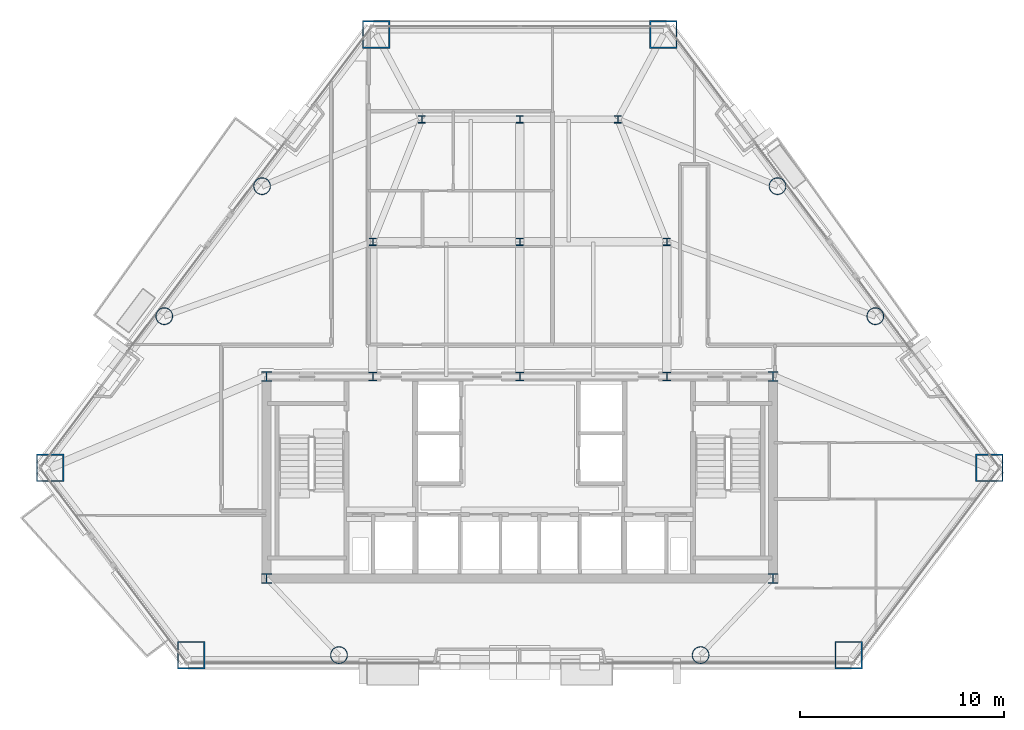
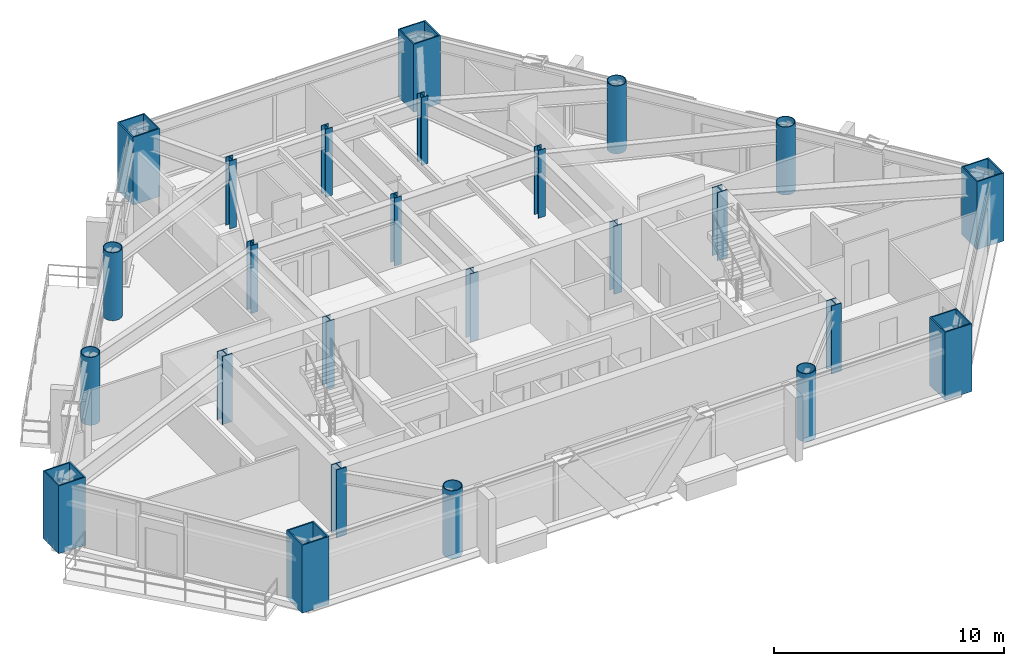
# One storey, part 1 of 10: 25 columns.
"""IFC4 building model written with IfcOpenShell, lengths in metres."""

from ifc_helpers import new_model, si_unit, direction, frame, origin, origin_2d, place, context, subcontext, project, spatial, hollow_rectangle, hollow_circle, i_section, extrude, material, material_profile, profile_set, type_object, element, save


model = new_model("IFC4")

# Units and contexts
model_context = context("Model", 3, precision=1e-05, world=origin(), true_north=direction((0.0, 1.0)))
body_context = subcontext(model_context, "Body", "Model", "MODEL_VIEW")
ifc_project = project(units=[si_unit("LENGTHUNIT", "METRE"), si_unit("AREAUNIT", "SQUARE_METRE"), si_unit("VOLUMEUNIT", "CUBIC_METRE"), si_unit("PLANEANGLEUNIT", "RADIAN"), si_unit("MASSUNIT", "GRAM", prefix="KILO")], contexts=[model_context])

# Site, building, storey
site_placement = place(None, origin())
site = spatial("IfcSite", under=ifc_project, at=site_placement, CompositionType="ELEMENT")
building_placement = place(site_placement, origin())
building = spatial("IfcBuilding", under=site, at=building_placement, Name="Talgorran Terracotta Tower", CompositionType="ELEMENT")
storey_placement = place(building_placement, frame((0.0, 0.0, 75.60009765625)))
storey = spatial("IfcBuildingStorey", under=building, at=storey_placement, Name="L19", CompositionType="ELEMENT", Elevation=75.60009765625)

# Columns
ifc_material_1 = material(Name="Steel S355 (300PLUS)", Category="steel")
ifc_material_profile_1 = material_profile(ifc_material_1, i_section(OverallWidth=0.35009765625, OverallDepth=0.366943359375, WebThickness=0.02490234375, FlangeThickness=0.031982421875, at=origin_2d()), Name="350WC258")
ifc_profile_set_1 = profile_set([ifc_material_profile_1], Name="Steel S355 (300PLUS)")
column_type_1 = type_object("IfcColumnType", Name="COL_350WC258", PredefinedType="COLUMN", material=ifc_profile_set_1)
for number, where, z_axis, x_axis, name in (
    (1, (-7.199951171875, 2.39990234375, 0.0), (0.0, 0.0, 1.0), (1.0, 0.0, 0.0), "L19 Interior Gravity Column IC1"),
    (2, (0.0, 2.39990234375, 0.0), (0.0, 0.0, 1.0), (1.0, 0.0, 0.0), "L19 Interior Gravity Column IC2"),
    (3, (7.199951171875, 2.39990234375, 0.0), (0.0, 0.0, 1.0), (1.0, 0.0, 0.0), "L19 Interior Gravity Column IC3"),
    (4, (-4.800048828125, 8.39990234375, 0.0), (0.0, 0.0, 1.0), (1.0, 0.0, 0.0), "L19 Interior Gravity Column IC4"),
    (5, (0.0, 8.39990234375, 0.0), (0.0, 0.0, 1.0), (1.0, 0.0, 0.0), "L19 Interior Gravity Column IC5"),
    (6, (4.800048828125, 8.39990234375, 0.0), (0.0, 0.0, 1.0), (1.0, 0.0, 0.0), "L19 Interior Gravity Column IC6"),
):
    element("IfcColumn", number, at=place(storey_placement, frame(where, z_axis=z_axis, x_axis=x_axis)), inside=storey, type_object=column_type_1, Name=name, PredefinedType="COLUMN", context=body_context, shape_type="SweptSolid", body=[
        extrude(i_section(OverallWidth=0.35009765625, OverallDepth=0.366943359375, WebThickness=0.02490234375, FlangeThickness=0.031982421875, at=origin_2d()), origin(), (0.0, 0.0, 1.0), 3.599853515625),
    ])
ifc_material_profile_2 = material_profile(ifc_material_1, i_section(OverallWidth=0.5, OverallDepth=0.48193359375, WebThickness=0.0400390625, FlangeThickness=0.044921875, at=origin_2d()), Name="500WC440")
ifc_profile_set_2 = profile_set([ifc_material_profile_2], Name="Steel S355 (300PLUS)")
column_type_2 = type_object("IfcColumnType", Name="COL_500WC440", PredefinedType="COLUMN", material=ifc_profile_set_2)
for number, where, z_axis, x_axis, name in (
    (7, (-12.39990234375, -14.10009765625, 0.0), (0.0, 0.0, 1.0), (1.0, 0.0, 0.0), "L19 Core Boundary Column CC1"),
    (8, (12.39990234375, -14.10009765625, 0.0), (0.0, 0.0, 1.0), (1.0, 0.0, 0.0), "L19 Core Boundary Column CC2"),
    (9, (12.39990234375, -4.199951171875, 0.0), (0.0, 0.0, 1.0), (1.0, 0.0, 0.0), "L19 Core Boundary Column CC3"),
    (10, (-12.39990234375, -4.199951171875, 0.0), (0.0, 0.0, 1.0), (1.0, 0.0, 0.0), "L19 Core Boundary Column CC4"),
):
    element("IfcColumn", number, at=place(storey_placement, frame(where, z_axis=z_axis, x_axis=x_axis)), inside=storey, type_object=column_type_2, Name=name, PredefinedType="COLUMN", context=body_context, shape_type="SweptSolid", body=[
        extrude(i_section(OverallWidth=0.5, OverallDepth=0.48193359375, WebThickness=0.0400390625, FlangeThickness=0.044921875, at=origin_2d()), origin(), (0.0, 0.0, 1.0), 3.599853515625),
    ])
ifc_material_2 = material(Name="Steel Grade 350 (350L0)", Category="steel")
ifc_material_profile_3 = material_profile(ifc_material_2, hollow_rectangle(XDim=1.35009765625, YDim=1.35009765625, WallThickness=0.06494140625, at=origin_2d()), Name="CFT1350X1350X65")
ifc_profile_set_3 = profile_set([ifc_material_profile_3], Name="Steel Grade 350 (350L0)")
column_type_3 = type_object("IfcColumnType", Name="COL_CFT_1350", PredefinedType="COLUMN", material=ifc_profile_set_3)
for number, where, z_axis, x_axis, name in (
    (11, (-23.005126953125, -8.6728515625, 0.0), (0.0, 0.0, 1.0), (1.0, 0.0, 0.0), "L19 Corner CFT Mega-Column MC1"),
    (12, (-16.1025390625, -17.8466796875, 0.0), (0.0, 0.0, 1.0), (1.0, 0.0, 0.0), "L19 Corner CFT Mega-Column MC2"),
    (13, (16.1025390625, -17.8466796875, 0.0), (0.0, 0.0, 1.0), (1.0, 0.0, 0.0), "L19 Corner CFT Mega-Column MC3"),
    (14, (23.005126953125, -8.6728515625, 0.0), (0.0, 0.0, 1.0), (1.0, 0.0, 0.0), "L19 Corner CFT Mega-Column MC4"),
    (15, (7.034423828125, 12.552734375, 0.0), (0.0, 0.0, 1.0), (1.0, 0.0, 0.0), "L19 Corner CFT Mega-Column MC5"),
    (16, (-7.034423828125, 12.552734375, 0.0), (0.0, 0.0, 1.0), (1.0, 0.0, 0.0), "L19 Corner CFT Mega-Column MC6"),
):
    element("IfcColumn", number, at=place(storey_placement, frame(where, z_axis=z_axis, x_axis=x_axis)), inside=storey, type_object=column_type_3, Name=name, PredefinedType="COLUMN", context=body_context, shape_type="SweptSolid", body=[
        extrude(hollow_rectangle(XDim=1.35009765625, YDim=1.35009765625, WallThickness=0.06494140625, at=origin_2d()), origin(), (0.0, 0.0, 1.0), 3.599853515625),
    ])
ifc_material_profile_4 = material_profile(ifc_material_2, hollow_circle(Radius=0.425048828125, WallThickness=0.0380859375, at=origin_2d()), Name="CHS850X38")
ifc_profile_set_4 = profile_set([ifc_material_profile_4], Name="Steel Grade 350 (350L0)")
column_type_4 = type_object("IfcColumnType", Name="COL_CHS_850", PredefinedType="COLUMN", material=ifc_profile_set_4)
for number, where, z_axis, x_axis, name in (
    (17, (-8.8564453125, -17.8466796875, 0.0), (0.0, 0.0, 1.0), (1.0, 0.0, 0.0), "L19 Facet Perimeter Column FC1"),
    (18, (8.8564453125, -17.8466796875, 0.0), (0.0, 0.0, 1.0), (1.0, 0.0, 0.0), "L19 Facet Perimeter Column FC2"),
    (19, (17.41552734375, -1.243896484375, 0.0), (0.0, 0.0, 1.0), (1.0, 0.0, 0.0), "L19 Facet Perimeter Column FC3"),
    (20, (12.624267578125, 5.123779296875, 0.0), (0.0, 0.0, 1.0), (1.0, 0.0, 0.0), "L19 Facet Perimeter Column FC4"),
    (21, (-12.624267578125, 5.123779296875, 0.0), (0.0, 0.0, 1.0), (1.0, 0.0, 0.0), "L19 Facet Perimeter Column FC5"),
    (22, (-17.41552734375, -1.243896484375, 0.0), (0.0, 0.0, 1.0), (1.0, 0.0, 0.0), "L19 Facet Perimeter Column FC6"),
):
    element("IfcColumn", number, at=place(storey_placement, frame(where, z_axis=z_axis, x_axis=x_axis)), inside=storey, type_object=column_type_4, Name=name, PredefinedType="COLUMN", context=body_context, shape_type="SweptSolid", body=[
        extrude(hollow_circle(Radius=0.425048828125, WallThickness=0.0380859375, at=origin_2d()), origin(), (0.0, 0.0, 1.0), 3.599853515625),
    ])
ifc_material_profile_5 = material_profile(ifc_material_1, i_section(OverallWidth=0.405029296875, OverallDepth=0.4140625, WebThickness=0.02197265625, FlangeThickness=0.031982421875, at=origin_2d()), Name="400WC270")
ifc_profile_set_5 = profile_set([ifc_material_profile_5], Name="Steel S355 (300PLUS)")
column_type_5 = type_object("IfcColumnType", Name="COL_PIL_400WC270", PredefinedType="PILASTER", material=ifc_profile_set_5)
for number, where, z_axis, x_axis, name in (
    (23, (-7.199951171875, -4.199951171875, 0.0), (0.0, 0.0, 1.0), (1.0, 0.0, 0.0), "L19 Core Shear Pilaster CP1"),
    (24, (0.0, -4.199951171875, 0.0), (0.0, 0.0, 1.0), (1.0, 0.0, 0.0), "L19 Core Shear Pilaster CP2"),
    (25, (7.199951171875, -4.199951171875, 0.0), (0.0, 0.0, 1.0), (1.0, 0.0, 0.0), "L19 Core Shear Pilaster CP3"),
):
    element("IfcColumn", number, at=place(storey_placement, frame(where, z_axis=z_axis, x_axis=x_axis)), inside=storey, type_object=column_type_5, Name=name, PredefinedType="PILASTER", context=body_context, shape_type="SweptSolid", body=[
        extrude(i_section(OverallWidth=0.405029296875, OverallDepth=0.4140625, WebThickness=0.02197265625, FlangeThickness=0.031982421875, at=origin_2d()), origin(), (0.0, 0.0, 1.0), 3.599853515625),
    ])

save(model, "model.ifc")
